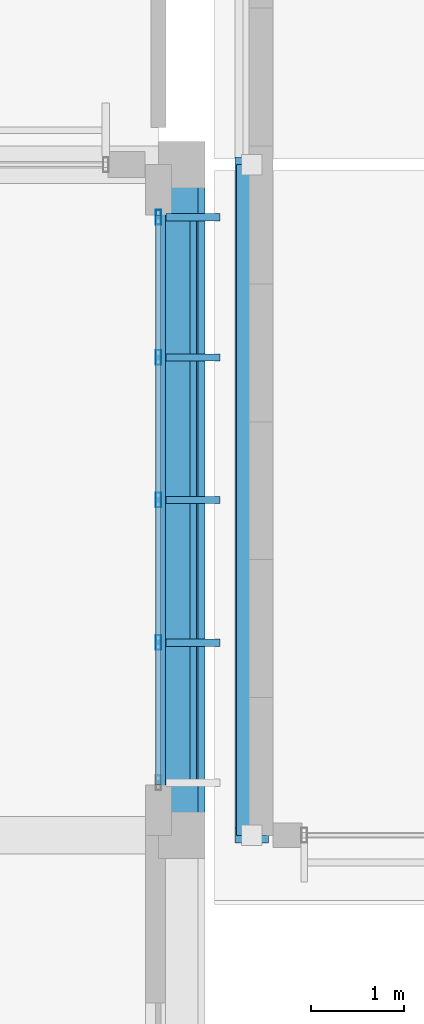
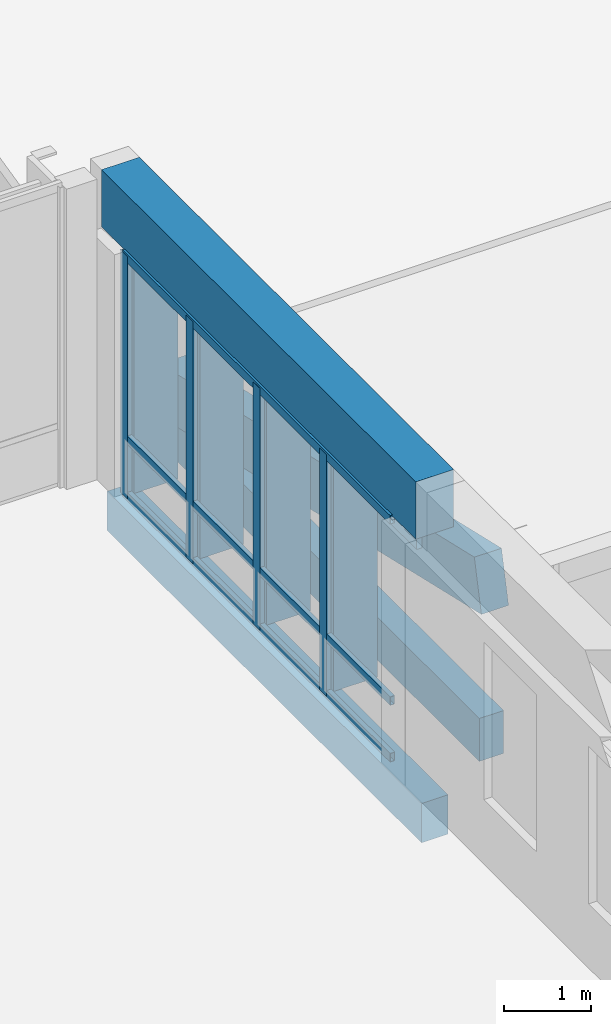
# One storey, part 32 of 182: 14 members, 2 beams, 1 element without a shape of its own.
"""IFC4 building model written with IfcOpenShell, lengths in metres."""

from ifc_helpers import new_model, si_unit, direction, frame, origin, origin_2d, place, context, subcontext, project, spatial, rectangle, hollow_rectangle, extrude, material, material_profile, profile_set, type_object, element, aggregate, save


model = new_model("IFC4")

# Units and contexts
model_context = context("Model", 3, precision=1e-05, world=origin(), true_north=direction((0.0, 1.0)))
body_context = subcontext(model_context, "Body", "Model", "MODEL_VIEW")
ifc_project = project(units=[si_unit("LENGTHUNIT", "METRE"), si_unit("AREAUNIT", "SQUARE_METRE"), si_unit("VOLUMEUNIT", "CUBIC_METRE"), si_unit("PLANEANGLEUNIT", "RADIAN"), si_unit("MASSUNIT", "GRAM", prefix="KILO")], contexts=[model_context])

# Site, building, storey
site_placement = place(None, origin())
site = spatial("IfcSite", under=ifc_project, at=site_placement, CompositionType="ELEMENT")
building_placement = place(site_placement, origin())
building = spatial("IfcBuilding", under=site, at=building_placement, Name="Chiffa Square Polytechnic", CompositionType="ELEMENT")
storey_placement = place(building_placement, frame((0.0, 0.0, 9.60009765625)))
storey = spatial("IfcBuildingStorey", under=building, at=storey_placement, Name="L02", CompositionType="ELEMENT", Elevation=9.60009765625)

# Beams
ifc_material_1 = material(Name="Concrete C35/45", Category="concrete")
ifc_material_profile_1 = material_profile(ifc_material_1, rectangle(XDim=0.35009765625, YDim=0.550048828125, at=origin_2d()), Name="RC 350x550")
ifc_profile_set_1 = profile_set([ifc_material_profile_1], Name="Concrete C35/45")
beam_type_1 = type_object("IfcBeamType", Name="BM-RC-350X550", PredefinedType="BEAM", material=ifc_profile_set_1)
beam_1_placement = place(storey_placement, frame((48.0, 21.60009765625, -0.59521484375), z_axis=(0.0, 1.0, 0.0), x_axis=(-1.0, 0.0, 0.0)))
element("IfcBeam", 1, at=beam_1_placement, inside=storey, type_object=beam_type_1, Name="Primary floor girder BM-V3-L02-Y-0480-0216", PredefinedType="BEAM", context=body_context, shape_type="SweptSolid", body=[
    extrude(rectangle(XDim=0.35009765625, YDim=0.550048828125, at=origin_2d()), origin(), (0.0, 0.0, 1.0), 7.199951171875),
])
ifc_material_2 = material(Name="Concrete C40/50", Category="concrete")
ifc_material_profile_2 = material_profile(ifc_material_2, rectangle(XDim=0.5, YDim=0.800048828125, at=origin_2d()), Name="RC 500x800")
ifc_profile_set_2 = profile_set([ifc_material_profile_2], Name="Concrete C40/50")
beam_type_2 = type_object("IfcBeamType", Name="BM-RC-500X800", PredefinedType="BEAM", material=ifc_profile_set_2)
beam_2_placement = place(storey_placement, frame((48.0, 21.60009765625, 3.7998046875), z_axis=(0.0, 1.0, 0.0), x_axis=(-1.0, 0.0, 0.0)))
element("IfcBeam", 2, at=beam_2_placement, inside=storey, type_object=beam_type_2, Name="Lecture east eave ring beam BM-V3-EAVTIE-E4", PredefinedType="BEAM", context=body_context, shape_type="SweptSolid", body=[
    extrude(rectangle(XDim=0.5, YDim=0.800048828125, at=origin_2d()), origin(), (0.0, 0.0, 1.0), 7.199951171875),
])

# Curtain wall, members
ifc_material_3 = material(Name="Aluminium EN AW-6060 T66 and glulam shading", Category="wood")
curtain_wall_type = type_object("IfcCurtainWallType", Name="CW-VERT-450X380", PredefinedType="USERDEFINED", material=ifc_material_3)
curtain_wall_placement = place(storey_placement, origin())
curtain_wall = element("IfcCurtainWall", 3, at=curtain_wall_placement, inside=storey, type_object=curtain_wall_type, Name="Curtain wall CW-V3-L02-170", ObjectType="CURTAIN WALL", PredefinedType="USERDEFINED")
ifc_material_4 = material(Name="Aluminium EN AW-6060 T66", Category="aluminium")
ifc_material_profile_3 = material_profile(ifc_material_4, hollow_rectangle(XDim=0.06005859375, YDim=0.159912109375, WallThickness=0.00390625, at=origin_2d()), Name="ALU 60x160x4")
ifc_profile_set_3 = profile_set([ifc_material_profile_3], Name="Aluminium EN AW-6060 T66")
member_type_1 = type_object("IfcMemberType", Name="CWM-ALU-65X150", PredefinedType="MULLION", material=ifc_profile_set_3)
member_1_placement = place(storey_placement, frame((47.75, 23.669921875, 0.0), z_axis=(0.0, 0.0, 1.0), x_axis=(1.0, 0.0, 0.0)))
member_1 = element("IfcMember", 4, at=member_1_placement, type_object=member_type_1, Name="Curtain wall mullion CW-V3-L02-170-M01", PredefinedType="MULLION", context=body_context, shape_type="SweptSolid", body=[
    extrude(hollow_rectangle(XDim=0.06005859375, YDim=0.159912109375, WallThickness=0.00390625, at=origin_2d()), origin(), (0.0, 0.0, 1.0), 3.385009765625),
])
member_2_placement = place(storey_placement, frame((47.75, 25.199951171875, 0.0), z_axis=(0.0, 0.0, 1.0), x_axis=(1.0, 0.0, 0.0)))
member_2 = element("IfcMember", 5, at=member_2_placement, type_object=member_type_1, Name="Curtain wall mullion CW-V3-L02-170-M02", PredefinedType="MULLION", context=body_context, shape_type="SweptSolid", body=[
    extrude(hollow_rectangle(XDim=0.06005859375, YDim=0.159912109375, WallThickness=0.00390625, at=origin_2d()), origin(), (0.0, 0.0, 1.0), 3.385009765625),
])
member_3_placement = place(storey_placement, frame((47.75, 26.72998046875, 0.0), z_axis=(0.0, 0.0, 1.0), x_axis=(1.0, 0.0, 0.0)))
member_3 = element("IfcMember", 6, at=member_3_placement, type_object=member_type_1, Name="Curtain wall mullion CW-V3-L02-170-M03", PredefinedType="MULLION", context=body_context, shape_type="SweptSolid", body=[
    extrude(hollow_rectangle(XDim=0.06005859375, YDim=0.159912109375, WallThickness=0.00390625, at=origin_2d()), origin(), (0.0, 0.0, 1.0), 3.385009765625),
])
member_4_placement = place(storey_placement, frame((47.75, 28.235107421875, 0.0), z_axis=(0.0, 0.0, 1.0), x_axis=(1.0, 0.0, 0.0)))
member_4 = element("IfcMember", 7, at=member_4_placement, type_object=member_type_1, Name="Curtain wall mullion CW-V3-L02-170-M04", PredefinedType="MULLION", context=body_context, shape_type="SweptSolid", body=[
    extrude(hollow_rectangle(XDim=0.06005859375, YDim=0.159912109375, WallThickness=0.00390625, at=origin_2d()), origin(), (0.0, 0.0, 1.0), 3.385009765625),
])
ifc_material_5 = material(Name="Glulam GL28h", Category="wood")
ifc_material_profile_4 = material_profile(ifc_material_5, rectangle(XDim=0.080078125, YDim=0.580078125, at=origin_2d()), Name="GL28h 80x580")
ifc_profile_set_4 = profile_set([ifc_material_profile_4], Name="Glulam GL28h")
member_type_2 = type_object("IfcMemberType", Name="CWM-GL-80X580", PredefinedType="MULLION", material=ifc_profile_set_4)
member_5_placement = place(storey_placement, frame((48.1220703125, 23.669921875, 0.010009765625), z_axis=(0.0, 0.0, 1.0), x_axis=(0.0, 1.0, 0.0)))
member_5 = element("IfcMember", 8, at=member_5_placement, type_object=member_type_2, Name="Exterior glulam solar fin CW-V3-L02-170-FN01", PredefinedType="MULLION", context=body_context, shape_type="SweptSolid", body=[
    extrude(rectangle(XDim=0.080078125, YDim=0.580078125, at=origin_2d()), origin(), (0.0, 0.0, 1.0), 3.364990234375),
])
member_6_placement = place(storey_placement, frame((48.1220703125, 25.199951171875, 0.010009765625), z_axis=(0.0, 0.0, 1.0), x_axis=(0.0, 1.0, 0.0)))
member_6 = element("IfcMember", 9, at=member_6_placement, type_object=member_type_2, Name="Exterior glulam solar fin CW-V3-L02-170-FN02", PredefinedType="MULLION", context=body_context, shape_type="SweptSolid", body=[
    extrude(rectangle(XDim=0.080078125, YDim=0.580078125, at=origin_2d()), origin(), (0.0, 0.0, 1.0), 3.364990234375),
])
member_7_placement = place(storey_placement, frame((48.1220703125, 26.72998046875, 0.010009765625), z_axis=(0.0, 0.0, 1.0), x_axis=(0.0, 1.0, 0.0)))
member_7 = element("IfcMember", 10, at=member_7_placement, type_object=member_type_2, Name="Exterior glulam solar fin CW-V3-L02-170-FN03", PredefinedType="MULLION", context=body_context, shape_type="SweptSolid", body=[
    extrude(rectangle(XDim=0.080078125, YDim=0.580078125, at=origin_2d()), origin(), (0.0, 0.0, 1.0), 3.364990234375),
])
member_8_placement = place(storey_placement, frame((48.1220703125, 28.235107421875, 0.010009765625), z_axis=(0.0, 0.0, 1.0), x_axis=(0.0, 1.0, 0.0)))
member_8 = element("IfcMember", 11, at=member_8_placement, type_object=member_type_2, Name="Exterior glulam solar fin CW-V3-L02-170-FN04", PredefinedType="MULLION", context=body_context, shape_type="SweptSolid", body=[
    extrude(rectangle(XDim=0.080078125, YDim=0.580078125, at=origin_2d()), origin(), (0.0, 0.0, 1.0), 3.364990234375),
])
ifc_material_profile_5 = material_profile(ifc_material_4, hollow_rectangle(XDim=0.06005859375, YDim=0.1201171875, WallThickness=0.00390625, at=origin_2d()), Name="ALU 60x120x4")
ifc_profile_set_5 = profile_set([ifc_material_profile_5], Name="Aluminium EN AW-6060 T66")
member_type_3 = type_object("IfcMemberType", Name="CWT-ALU-65X120", PredefinedType="USERDEFINED", material=ifc_profile_set_5)
member_9_placement = place(storey_placement, frame((47.75, 22.137939453125, 0.02978515625), z_axis=(0.0, 1.0, 0.0), x_axis=(-1.0, 0.0, 0.0)))
member_9 = element("IfcMember", 12, at=member_9_placement, type_object=member_type_3, Name="Curtain wall transom CW-V3-L02-170-T01", ObjectType="TRANSOM", PredefinedType="USERDEFINED", context=body_context, shape_type="SweptSolid", body=[
    extrude(hollow_rectangle(XDim=0.06005859375, YDim=0.1201171875, WallThickness=0.00390625, at=origin_2d()), origin(), (0.0, 0.0, 1.0), 6.1240234375),
])
member_10_placement = place(storey_placement, frame((47.75, 22.137939453125, 0.81982421875), z_axis=(0.0, 1.0, 0.0), x_axis=(-1.0, 0.0, 0.0)))
member_10 = element("IfcMember", 13, at=member_10_placement, type_object=member_type_3, Name="Curtain wall transom CW-V3-L02-170-T02", ObjectType="TRANSOM", PredefinedType="USERDEFINED", context=body_context, shape_type="SweptSolid", body=[
    extrude(hollow_rectangle(XDim=0.06005859375, YDim=0.1201171875, WallThickness=0.00390625, at=origin_2d()), origin(), (0.0, 0.0, 1.0), 6.1240234375),
])
member_11_placement = place(storey_placement, frame((47.75, 22.137939453125, 3.35498046875), z_axis=(0.0, 1.0, 0.0), x_axis=(-1.0, 0.0, 0.0)))
member_11 = element("IfcMember", 14, at=member_11_placement, type_object=member_type_3, Name="Curtain wall transom CW-V3-L02-170-T03", ObjectType="TRANSOM", PredefinedType="USERDEFINED", context=body_context, shape_type="SweptSolid", body=[
    extrude(hollow_rectangle(XDim=0.06005859375, YDim=0.1201171875, WallThickness=0.00390625, at=origin_2d()), origin(), (0.0, 0.0, 1.0), 6.1240234375),
])
ifc_material_profile_6 = material_profile(ifc_material_5, rectangle(XDim=0.070068359375, YDim=0.419921875, at=origin_2d()), Name="GL28h 70x420")
ifc_profile_set_6 = profile_set([ifc_material_profile_6], Name="Glulam GL28h")
member_type_4 = type_object("IfcMemberType", Name="CWT-GL-70X420", PredefinedType="USERDEFINED", material=ifc_profile_set_6)
member_12_placement = place(storey_placement, frame((48.1220703125, 22.1650390625, 3.0048828125), z_axis=(0.0, 1.0, 0.0), x_axis=(-1.0, 0.0, 0.0)))
member_12 = element("IfcMember", 15, at=member_12_placement, type_object=member_type_4, Name="Exterior glulam brise-soleil CW-V3-L02-170-BS01", ObjectType="TRANSOM", PredefinedType="USERDEFINED", context=body_context, shape_type="SweptSolid", body=[
    extrude(rectangle(XDim=0.070068359375, YDim=0.419921875, at=origin_2d()), origin(), (0.0, 0.0, 1.0), 6.070068359375),
])
aggregate(curtain_wall, [member_1, member_5, member_2, member_6, member_3, member_7, member_4, member_8, member_9, member_10, member_11, member_12])

# Members
ifc_material_6 = material(Name="Glulam GL32c", Category="wood")
ifc_material_profile_7 = material_profile(ifc_material_6, rectangle(XDim=0.320068359375, YDim=0.60009765625, at=origin_2d()), Name="GL32c 320x600")
ifc_profile_set_7 = profile_set([ifc_material_profile_7], Name="Glulam GL32c")
member_type_5 = type_object("IfcMemberType", Name="MEM-CHORD-GL320", PredefinedType="CHORD", material=ifc_profile_set_7)
member_13_placement = place(storey_placement, frame((48.75, 21.60009765625, 0.2998046875), z_axis=(0.0, 1.0, 0.0), x_axis=(-1.0, 0.0, 0.0)))
element("IfcMember", 16, at=member_13_placement, inside=storey, type_object=member_type_5, Name="Refectory butterfly bottom chord TCB-V4-S01", PredefinedType="CHORD", context=body_context, shape_type="SweptSolid", body=[
    extrude(rectangle(XDim=0.320068359375, YDim=0.60009765625, at=origin_2d()), origin(), (0.0, 0.0, 1.0), 7.199951171875),
])
ifc_material_profile_8 = material_profile(ifc_material_6, rectangle(XDim=0.360107421875, YDim=0.719970703125, at=origin_2d()), Name="GL32c 360x720")
ifc_profile_set_8 = profile_set([ifc_material_profile_8], Name="Glulam GL32c")
member_type_6 = type_object("IfcMemberType", Name="MEM-CHORD-GL360", PredefinedType="CHORD", material=ifc_profile_set_8)
member_14_placement = place(storey_placement, frame((48.75, 21.60009765625, 2.4619140625), z_axis=(0.0, 0.974373930506, -0.224934309412), x_axis=(-1.0, 0.0, 0.0)))
element("IfcMember", 17, at=member_14_placement, inside=storey, type_object=member_type_6, Name="Refectory butterfly top chord TCT-V4-S01", PredefinedType="CHORD", context=body_context, shape_type="SweptSolid", body=[
    extrude(rectangle(XDim=0.360107421875, YDim=0.719970703125, at=origin_2d()), origin(), (0.0, 0.0, 1.0), 7.389404296875),
])

save(model, "model.ifc")
